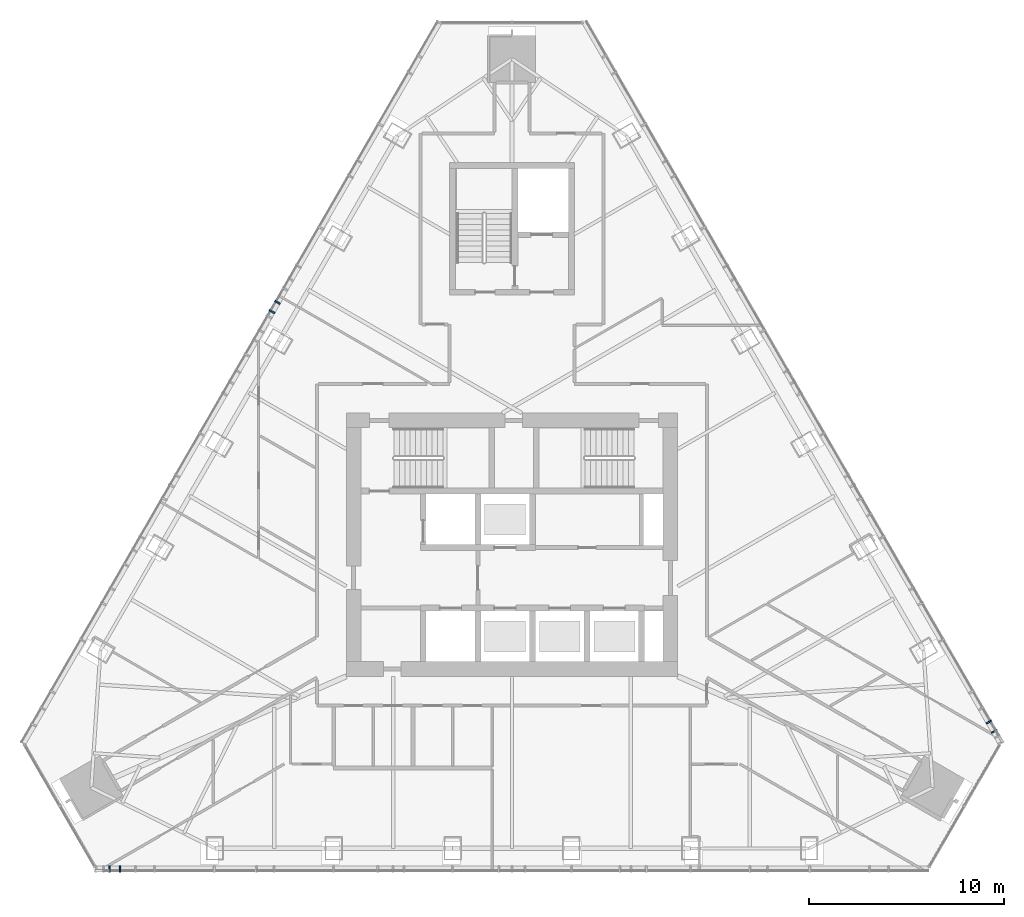
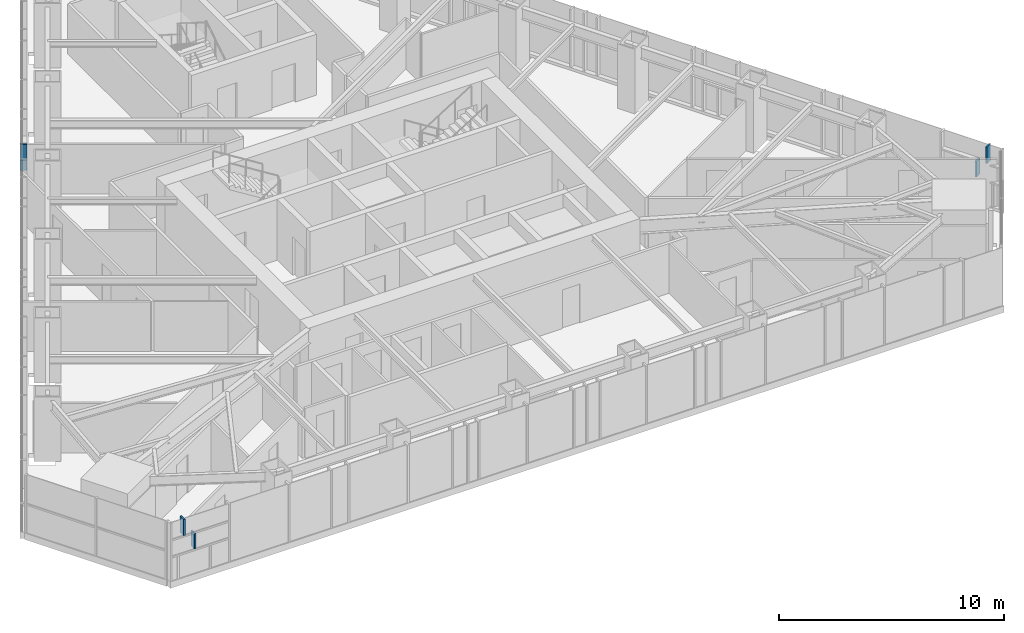
# One storey, part 8 of 18: 6 members, 3 elements without a shape of their own.
"""IFC4 building model written with IfcOpenShell, lengths in metres."""

from ifc_helpers import new_model, si_unit, direction, frame, origin, origin_2d, place, context, subcontext, project, spatial, rectangle, extrude, material, layer, layer_set, material_profile, profile_set, type_object, element, aggregate, save


model = new_model("IFC4")

# Units and contexts
model_context = context("Model", 3, precision=1e-05, world=origin(), true_north=direction((0.0, 1.0)))
body_context = subcontext(model_context, "Body", "Model", "MODEL_VIEW")
ifc_project = project(units=[si_unit("LENGTHUNIT", "METRE"), si_unit("AREAUNIT", "SQUARE_METRE"), si_unit("VOLUMEUNIT", "CUBIC_METRE"), si_unit("PLANEANGLEUNIT", "RADIAN"), si_unit("MASSUNIT", "GRAM", prefix="KILO")], contexts=[model_context])

# Site, building, storey
site_placement = place(None, origin())
site = spatial("IfcSite", under=ifc_project, at=site_placement, CompositionType="ELEMENT")
building_placement = place(site_placement, origin())
building = spatial("IfcBuilding", under=site, at=building_placement, Name="Firuza Gate Tower and Library", CompositionType="ELEMENT")
storey_placement = place(building_placement, frame((0.0, 0.0, 298.60009765625)))
storey = spatial("IfcBuildingStorey", under=building, at=storey_placement, Name="L72", CompositionType="ELEMENT", Elevation=298.60009765625)

# Curtain wall, members
ifc_material_1 = material(Name="Aluminium 6063-T6", Category="aluminium")
ifc_layer = layer(ifc_material_1, 0.14990234375)
ifc_layer_set = layer_set([ifc_layer], Name="Unitised curtain wall, residences")
curtain_wall_type = type_object("IfcCurtainWallType", Name="Unitised curtain wall, residences", PredefinedType="NOTDEFINED", material=ifc_layer_set)
placement = place(storey_placement, origin())
curtain_wall_1 = element("IfcCurtainWall", 1, at=placement, inside=storey, type_object=curtain_wall_type, Name="CW3 L72 S face", PredefinedType="NOTDEFINED")
ifc_material_2 = material(Name="Aluminium 6063-T6", Category="aluminium")
ifc_material_profile = material_profile(ifc_material_2, rectangle(XDim=0.320068359375, YDim=0.080078125, at=origin_2d()))
ifc_profile_set = profile_set([ifc_material_profile], Name="Aluminium 6063-T6")
member_type = type_object("IfcMemberType", Name="Curtain wall mullion 80x320", PredefinedType="MULLION", material=ifc_profile_set)
member_1_placement = place(storey_placement, frame((54.89453125, 58.36474609375, 1.489990234375), z_axis=(0.0, 0.0, 1.0), x_axis=(0.0, 1.0, 0.0)))
member_1 = element("IfcMember", 2, at=member_1_placement, type_object=member_type, Name="Mullion", PredefinedType="MULLION", context=body_context, shape_type="SweptSolid", body=[
    extrude(rectangle(XDim=0.320068359375, YDim=0.080078125, at=origin_2d()), origin(), (0.0, 0.0, 1.0), 0.844970703125),
])
member_2_placement = place(storey_placement, frame((54.34716796875, 58.36474609375, 2.414794921875), z_axis=(0.0, 0.0, 1.0), x_axis=(0.0, 1.0, 0.0)))
member_2 = element("IfcMember", 3, at=member_2_placement, type_object=member_type, Name="Mullion", PredefinedType="MULLION", context=body_context, shape_type="SweptSolid", body=[
    extrude(rectangle(XDim=0.320068359375, YDim=0.080078125, at=origin_2d()), origin(), (0.0, 0.0, 1.0), 0.885009765625),
])
aggregate(curtain_wall_1, [member_1, member_2])

curtain_wall_2 = element("IfcCurtainWall", 4, at=placement, inside=storey, type_object=curtain_wall_type, Name="CW3 L72 E face", PredefinedType="NOTDEFINED")
member_3_placement = place(storey_placement, frame((99.459228515625, 65.90576171875, 1.489990234375), z_axis=(0.0, 0.0, 1.0), x_axis=(-0.866025403784, -0.5, 0.0)))
member_3 = element("IfcMember", 5, at=member_3_placement, type_object=member_type, Name="Mullion", PredefinedType="MULLION", context=body_context, shape_type="SweptSolid", body=[
    extrude(rectangle(XDim=0.320068359375, YDim=0.080078125, at=origin_2d()), origin(), (0.0, 0.0, 1.0), 0.844970703125),
])
member_4_placement = place(storey_placement, frame((99.73291015625, 65.431640625, 2.414794921875), z_axis=(0.0, 0.0, 1.0), x_axis=(-0.866025403784, -0.5, 0.0)))
member_4 = element("IfcMember", 6, at=member_4_placement, type_object=member_type, Name="Mullion", PredefinedType="MULLION", context=body_context, shape_type="SweptSolid", body=[
    extrude(rectangle(XDim=0.320068359375, YDim=0.080078125, at=origin_2d()), origin(), (0.0, 0.0, 1.0), 0.885009765625),
])
aggregate(curtain_wall_2, [member_3, member_4])

curtain_wall_3 = element("IfcCurtainWall", 7, at=placement, inside=storey, type_object=curtain_wall_type, Name="CW3 L72 W face", PredefinedType="NOTDEFINED")
member_5_placement = place(storey_placement, frame((62.96728515625, 87.42919921875, 1.489990234375), z_axis=(0.0, 0.0, 1.0), x_axis=(0.866025403784, -0.5, 0.0)))
member_5 = element("IfcMember", 8, at=member_5_placement, type_object=member_type, Name="Mullion", PredefinedType="MULLION", context=body_context, shape_type="SweptSolid", body=[
    extrude(rectangle(XDim=0.320068359375, YDim=0.080078125, at=origin_2d()), origin(), (0.0, 0.0, 1.0), 0.844970703125),
])
member_6_placement = place(storey_placement, frame((62.693603515625, 86.955322265625, 2.414794921875), z_axis=(0.0, 0.0, 1.0), x_axis=(0.866025403784, -0.5, 0.0)))
member_6 = element("IfcMember", 9, at=member_6_placement, type_object=member_type, Name="Mullion", PredefinedType="MULLION", context=body_context, shape_type="SweptSolid", body=[
    extrude(rectangle(XDim=0.320068359375, YDim=0.080078125, at=origin_2d()), origin(), (0.0, 0.0, 1.0), 0.885009765625),
])
aggregate(curtain_wall_3, [member_5, member_6])

save(model, "model.ifc")
